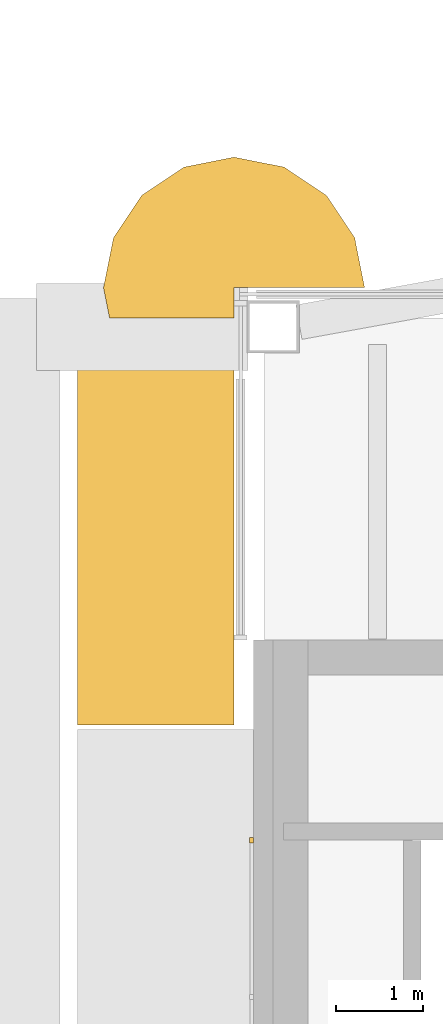
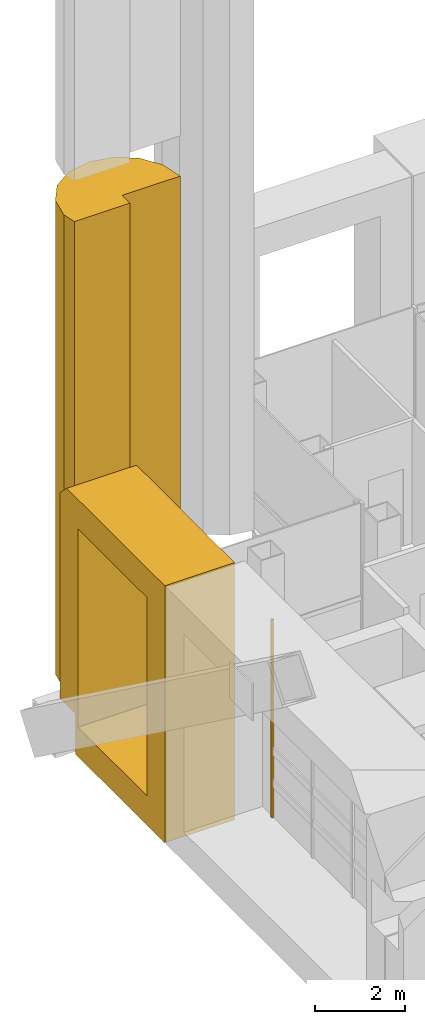
# One storey, part 25 of 29: 3 coverings.
"""IFC4 building model written with IfcOpenShell, lengths in metres."""

from ifc_helpers import new_model, si_unit, direction, frame, origin, origin_2d, place, context, subcontext, project, spatial, polyline, rectangle, outline, extrude, material, type_object, element, save


model = new_model("IFC4")

# Units and contexts
model_context = context("Model", 3, precision=1e-05, world=origin(), true_north=direction((0.0, 1.0)))
body_context = subcontext(model_context, "Body", "Model", "MODEL_VIEW")
ifc_project = project(units=[si_unit("LENGTHUNIT", "METRE"), si_unit("AREAUNIT", "SQUARE_METRE"), si_unit("VOLUMEUNIT", "CUBIC_METRE"), si_unit("PLANEANGLEUNIT", "RADIAN"), si_unit("MASSUNIT", "GRAM", prefix="KILO")], contexts=[model_context])

# Site, building, storey
site_placement = place(None, origin())
site = spatial("IfcSite", under=ifc_project, at=site_placement, CompositionType="ELEMENT")
building_placement = place(site_placement, origin())
building = spatial("IfcBuilding", under=site, at=building_placement, Name="Cobrizo Arcos Hotel Tower", CompositionType="ELEMENT")
storey_placement = place(building_placement, frame((0.0, 0.0, 241.0)))
storey = spatial("IfcBuildingStorey", under=building, at=storey_placement, Name="L63", CompositionType="ELEMENT", Elevation=241.0)

# Coverings
ifc_material_1 = material(Name="Aluminium 6063-T6 anodised bronze", Category="aluminium")
covering_type_1 = type_object("IfcCoveringType", Name="FIN-F 1800", PredefinedType="CLADDING", material=ifc_material_1)
covering_1_placement = place(storey_placement, frame((-20.85009765625, 14.5, 0.0), z_axis=(-1.0, 0.0, 0.0), x_axis=(0.0, -1.0, 0.0)))
element("IfcCovering", 1, at=covering_1_placement, inside=storey, type_object=covering_type_1, Name="Fin frame 423", PredefinedType="CLADDING", context=body_context, shape_type="SweptSolid", body=[
    extrude(outline(polyline([(0.0, 6.699951171875), (0.0, 1.10205078125), (0.701904296875, 1.10205078125), (0.701904296875, 0.0), (4.675048828125, 0.0), (4.675048828125, 7.0), (0.300048828125, 7.0), (0.0, 6.699951171875)]), holes=[polyline([(3.875, 0.800048828125), (0.800048828125, 0.800048828125), (0.800048828125, 6.199951171875), (3.875, 6.199951171875), (3.875, 0.800048828125)])]), origin(), (0.0, 0.0, 1.0), 1.7998046875),
])
ifc_material_2 = material(Name="Aluminium 6063-T6 anodised pale", Category="aluminium")
covering_type_2 = type_object("IfcCoveringType", Name="RB-2 notch bullnose roll R1500", PredefinedType="CLADDING", material=ifc_material_2)
covering_2_placement = place(storey_placement, frame((0.0, 0.0, 1.050048828125)))
element("IfcCovering", 2, at=covering_2_placement, inside=storey, type_object=covering_type_2, Name="Notch bullnose roll 39", PredefinedType="CLADDING", context=body_context, shape_type="SweptSolid", body=[
    extrude(outline(polyline([(-19.789306640625, 15.91064453125), (-20.27587890625, 16.23583984375), (-20.85009765625, 16.35009765625), (-21.424072265625, 16.23583984375), (-21.91064453125, 15.91064453125), (-22.23583984375, 15.424072265625), (-22.35009765625, 14.85009765625), (-22.280517578125, 14.5), (-20.85009765625, 14.5), (-20.85009765625, 14.85009765625), (-19.35009765625, 14.85009765625), (-19.464111328125, 15.424072265625), (-19.789306640625, 15.91064453125)])), origin(), (0.0, 0.0, 1.0), 12.89990234375),
])
covering_type_3 = type_object("IfcCoveringType", Name="RS-2 rainscreen rib 60x50", PredefinedType="CLADDING", material=ifc_material_2)
covering_3_placement = place(storey_placement, frame((-20.64990234375, 8.5, 0.800048828125), z_axis=(0.0, 0.0, 1.0), x_axis=(0.0, -1.0, 0.0)))
element("IfcCovering", 3, at=covering_3_placement, inside=storey, type_object=covering_type_3, Name="Rainscreen rib 311", PredefinedType="CLADDING", context=body_context, shape_type="SweptSolid", body=[
    extrude(rectangle(XDim=0.06005859375, YDim=0.050048828125, at=origin_2d()), origin(), (0.0, 0.0, 1.0), 5.39990234375),
])

save(model, "model.ifc")
